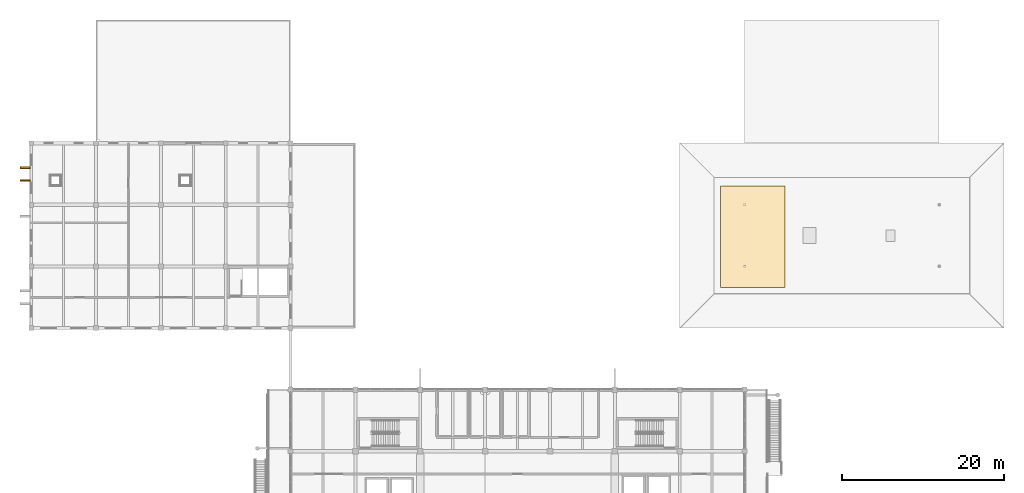
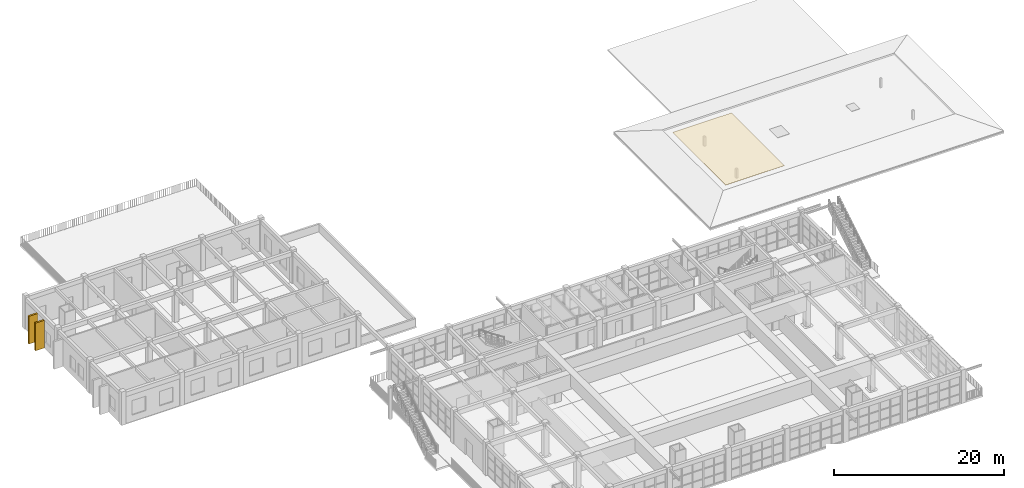
# One storey, part 50 of 50: 2 shading devices, 1 covering.
"""IFC4 building model written with IfcOpenShell, lengths in metres."""

from ifc_helpers import new_model, si_unit, direction, frame, origin, origin_2d, place, context, subcontext, project, spatial, polyline, rectangle, outline, extrude, material, layer, layer_set, type_object, element, save


model = new_model("IFC4")

# Units and contexts
model_context = context("Model", 3, precision=1e-05, world=origin(), true_north=direction((0.0, 1.0)))
body_context = subcontext(model_context, "Body", "Model", "MODEL_VIEW")
ifc_project = project(units=[si_unit("LENGTHUNIT", "METRE"), si_unit("AREAUNIT", "SQUARE_METRE"), si_unit("VOLUMEUNIT", "CUBIC_METRE"), si_unit("PLANEANGLEUNIT", "RADIAN"), si_unit("MASSUNIT", "GRAM", prefix="KILO")], contexts=[model_context])

# Site, building, storey
site_placement = place(None, origin())
site = spatial("IfcSite", under=ifc_project, at=site_placement, CompositionType="ELEMENT")
building_placement = place(site_placement, origin())
building = spatial("IfcBuilding", under=site, at=building_placement, Name="Zantavel Square City Hall", CompositionType="ELEMENT")
storey_placement = place(building_placement, frame((0.0, 0.0, 18.89990234375)))
storey = spatial("IfcBuildingStorey", under=building, at=storey_placement, Name="L05", CompositionType="ELEMENT", Elevation=18.89990234375)

# Covering
ifc_material_1 = material(Name="Patinated copper-zinc standing seam", Category="aluminium")
ifc_layer = layer(ifc_material_1, 0.0400390625, Name="Patinated copper-zinc standing seam")
ifc_layer_set = layer_set([ifc_layer], Name="Patinated copper-zinc standing seam")
covering_type = type_object("IfcCoveringType", Name="Patinated Copper-Zinc Standing Seam Roofing 40mm", PredefinedType="ROOFING", material=ifc_layer_set)
covering_placement = place(storey_placement, frame((0.0, 0.0, 1.512939453125)))
element("IfcCovering", 1, at=covering_placement, inside=storey, type_object=covering_type, Name="L05 Copper-Zinc Standing Seam Roof Panel COV-CUZN-V4W", PredefinedType="ROOFING", context=body_context, shape_type="SweptSolid", body=[
    extrude(outline(polyline([(109.0, 81.0), (117.0, 81.0), (117.0, 93.5), (109.0, 93.5), (109.0, 81.0)])), origin(), (0.0, 0.0, 1.0), 0.0400390625),
])

# Shading devices
ifc_material_2 = material(Name="White cantera volcanic tuff stone", Category="masonry")
shading_device_type = type_object("IfcShadingDeviceType", Name="White Cantera Tray Mullion Fin 240x1240", PredefinedType="USERDEFINED", material=ifc_material_2)
for number, where, z_axis, x_axis, name in (
    (2, (23.239990234375, 94.199951171875, 0.0), (0.0, 0.0, 1.0), (1.0, 0.0, 0.0), "L05 Cantera Solar Pier 094"),
    (3, (23.239990234375, 95.800048828125, 0.0), (0.0, 0.0, 1.0), (1.0, 0.0, 0.0), "L05 Cantera Solar Pier 095"),
):
    element("IfcShadingDevice", number, at=place(storey_placement, frame(where, z_axis=z_axis, x_axis=x_axis)), inside=storey, type_object=shading_device_type, Name=name, ObjectType="FIN", PredefinedType="USERDEFINED", context=body_context, shape_type="SweptSolid", body=[
        extrude(rectangle(XDim=1.239990234375, YDim=0.239990234375, at=origin_2d()), origin(), (0.0, 0.0, 1.0), 3.969970703125),
    ])

save(model, "model.ifc")
